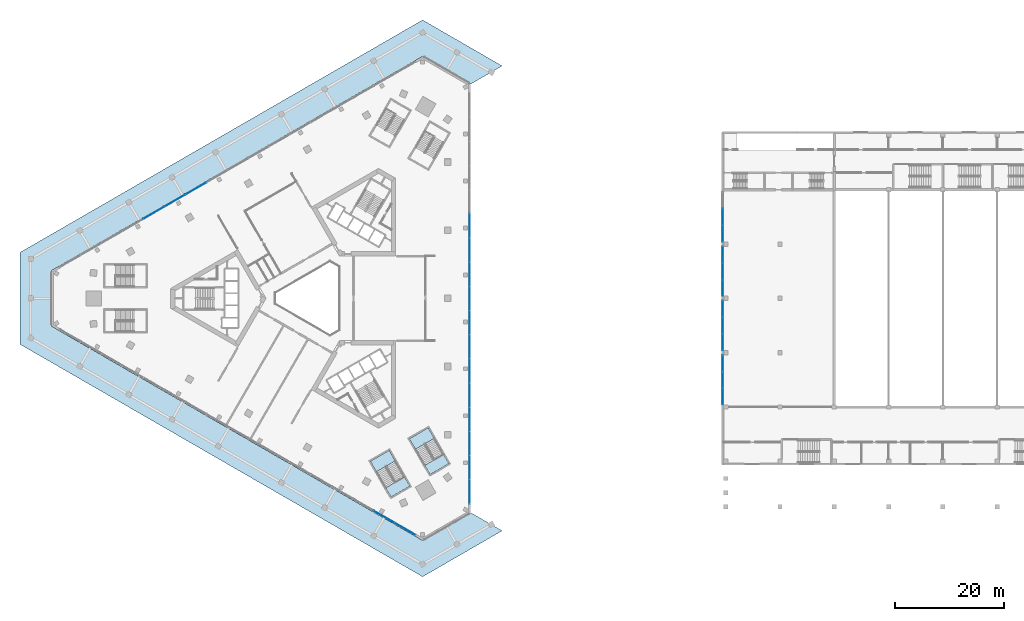
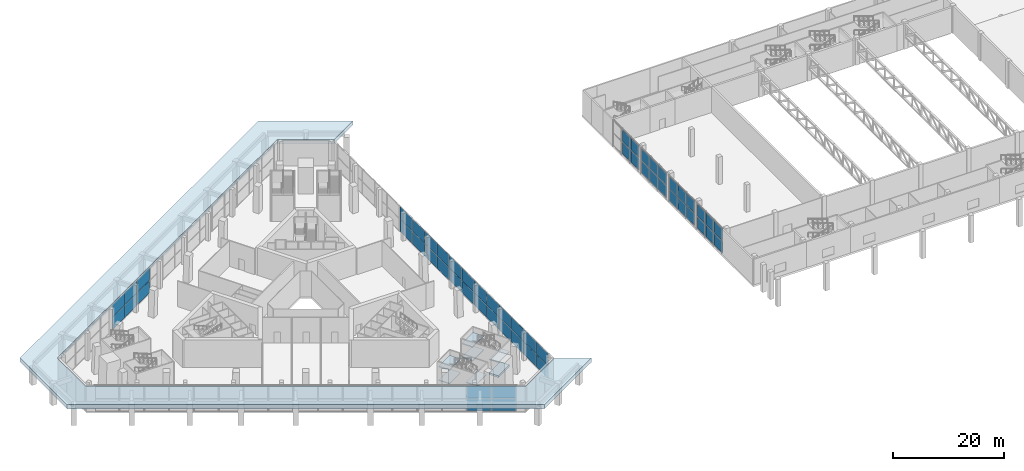
# One storey, part 23 of 51: 56 plates, 9 slabs, 9 elements without a shape of their own.
"""IFC4 building model written with IfcOpenShell, lengths in metres."""

from ifc_helpers import new_model, si_unit, direction, frame, origin, origin_2d, place, context, subcontext, project, spatial, polyline, rectangle, outline, extrude, material, layer, layer_set, type_object, element, aggregate, save


model = new_model("IFC4")

# Units and contexts
model_context = context("Model", 3, precision=1e-05, world=origin(), true_north=direction((0.0, 1.0)))
body_context = subcontext(model_context, "Body", "Model", "MODEL_VIEW")
ifc_project = project(units=[si_unit("LENGTHUNIT", "METRE"), si_unit("AREAUNIT", "SQUARE_METRE"), si_unit("VOLUMEUNIT", "CUBIC_METRE"), si_unit("PLANEANGLEUNIT", "RADIAN"), si_unit("MASSUNIT", "GRAM", prefix="KILO")], contexts=[model_context])

# Site, building, storey
site_placement = place(None, origin())
site = spatial("IfcSite", under=ifc_project, at=site_placement, CompositionType="ELEMENT")
building_placement = place(site_placement, origin())
building = spatial("IfcBuilding", under=site, at=building_placement, Name="Jabali Bay Hotel Tower and Convention Centre", CompositionType="ELEMENT")
storey_placement = place(building_placement, frame((0.0, 0.0, 9.0)))
storey = spatial("IfcBuildingStorey", under=building, at=storey_placement, Name="L01", CompositionType="ELEMENT", Elevation=9.0)

# Slab
ifc_material_1 = material(Name="Concrete C40", Category="concrete")
ifc_layer_1 = layer(ifc_material_1, 0.89990234375)
ifc_layer_set_1 = layer_set([ifc_layer_1], Name="Concrete C40")
slab_type_1 = type_object("IfcSlabType", Name="Arcade Canopy Slab 900", PredefinedType="ROOF", material=ifc_layer_set_1)
slab_1_placement = place(storey_placement, frame((0.0, 0.0, 4.699951171875)))
element("IfcSlab", 1, at=slab_1_placement, inside=storey, type_object=slab_type_1, Name="Arcade canopy slab", PredefinedType="ROOF", context=body_context, shape_type="SweptSolid", body=[
    extrude(outline(polyline([(109.5, 122.82763671875), (94.83984375, 131.291748046875), (20.66015625, 88.464111328125), (20.66015625, 71.535888671875), (94.83984375, 28.708251953125), (109.5, 37.17236328125), (103.699951171875, 40.52099609375), (94.83984375, 35.405517578125), (26.460205078125, 74.884521484375), (26.460205078125, 85.115478515625), (94.83984375, 124.594482421875), (103.699951171875, 119.47900390625), (109.5, 122.82763671875)])), origin(), (0.0, 0.0, 1.0), 0.900146484375),
])

# Curtain wall, plates
ifc_material_2 = material(Name="Aluminium 6063-T5 and glass", Category="aluminium")
curtain_wall_type_1 = type_object("IfcCurtainWallType", Name="CC CW4 Unitised Curtain Wall", PredefinedType="NOTDEFINED", material=ifc_material_2)
curtain_wall_1_placement = place(storey_placement, origin())
curtain_wall_1 = element("IfcCurtainWall", 2, at=curtain_wall_1_placement, inside=storey, type_object=curtain_wall_type_1, Name="CC CW4 run 1", PredefinedType="NOTDEFINED")
ifc_material_3 = material(Name="Glass IGU 28", Category="glass")
ifc_layer_2 = layer(ifc_material_3, 0.028076171875)
ifc_layer_set_2 = layer_set([ifc_layer_2], Name="Glass IGU 28")
plate_type_1 = type_object("IfcPlateType", Name="CC Curtain Wall Glass Panel 28", PredefinedType="CURTAIN_PANEL", material=ifc_layer_set_2)
plate_1_placement = place(storey_placement, frame((150.14990234375, 61.9482421875, 0.119873046875), z_axis=(0.0, 0.0, 1.0), x_axis=(0.0, 1.0, 0.0)))
plate_1 = element("IfcPlate", 3, at=plate_1_placement, type_object=plate_type_1, Name="CC-CW4 panel 1.1", PredefinedType="CURTAIN_PANEL", context=body_context, shape_type="SweptSolid", body=[
    extrude(rectangle(XDim=2.9765625, YDim=0.028076171875, at=origin_2d()), origin(), (0.0, 0.0, 1.0), 2.6201171875),
])
plate_2_placement = place(storey_placement, frame((150.14990234375, 61.9482421875, 2.85986328125), z_axis=(0.0, 0.0, 1.0), x_axis=(0.0, 1.0, 0.0)))
plate_2 = element("IfcPlate", 4, at=plate_2_placement, type_object=plate_type_1, Name="CC-CW4 panel 1.2", PredefinedType="CURTAIN_PANEL", context=body_context, shape_type="SweptSolid", body=[
    extrude(rectangle(XDim=2.9765625, YDim=0.028076171875, at=origin_2d()), origin(), (0.0, 0.0, 1.0), 2.610107421875),
])
plate_3_placement = place(storey_placement, frame((150.14990234375, 65.0, 0.119873046875), z_axis=(0.0, 0.0, 1.0), x_axis=(0.0, 1.0, 0.0)))
plate_3 = element("IfcPlate", 5, at=plate_3_placement, type_object=plate_type_1, Name="CC-CW4 panel 2.1", PredefinedType="CURTAIN_PANEL", context=body_context, shape_type="SweptSolid", body=[
    extrude(rectangle(XDim=3.006591796875, YDim=0.028076171875, at=origin_2d()), origin(), (0.0, 0.0, 1.0), 2.6201171875),
])
plate_4_placement = place(storey_placement, frame((150.14990234375, 65.0, 2.85986328125), z_axis=(0.0, 0.0, 1.0), x_axis=(0.0, 1.0, 0.0)))
plate_4 = element("IfcPlate", 6, at=plate_4_placement, type_object=plate_type_1, Name="CC-CW4 panel 2.2", PredefinedType="CURTAIN_PANEL", context=body_context, shape_type="SweptSolid", body=[
    extrude(rectangle(XDim=3.006591796875, YDim=0.028076171875, at=origin_2d()), origin(), (0.0, 0.0, 1.0), 2.610107421875),
])
plate_5_placement = place(storey_placement, frame((150.14990234375, 68.0517578125, 0.119873046875), z_axis=(0.0, 0.0, 1.0), x_axis=(0.0, 1.0, 0.0)))
plate_5 = element("IfcPlate", 7, at=plate_5_placement, type_object=plate_type_1, Name="CC-CW4 panel 3.1", PredefinedType="CURTAIN_PANEL", context=body_context, shape_type="SweptSolid", body=[
    extrude(rectangle(XDim=2.9765625, YDim=0.028076171875, at=origin_2d()), origin(), (0.0, 0.0, 1.0), 2.6201171875),
])
plate_6_placement = place(storey_placement, frame((150.14990234375, 68.0517578125, 2.85986328125), z_axis=(0.0, 0.0, 1.0), x_axis=(0.0, 1.0, 0.0)))
plate_6 = element("IfcPlate", 8, at=plate_6_placement, type_object=plate_type_1, Name="CC-CW4 panel 3.2", PredefinedType="CURTAIN_PANEL", context=body_context, shape_type="SweptSolid", body=[
    extrude(rectangle(XDim=2.9765625, YDim=0.028076171875, at=origin_2d()), origin(), (0.0, 0.0, 1.0), 2.610107421875),
])
aggregate(curtain_wall_1, [plate_1, plate_2, plate_3, plate_4, plate_5, plate_6])

curtain_wall_2_placement = place(storey_placement, origin())
curtain_wall_2 = element("IfcCurtainWall", 9, at=curtain_wall_2_placement, inside=storey, type_object=curtain_wall_type_1, Name="CC CW4 run 2", PredefinedType="NOTDEFINED")
plate_7_placement = place(storey_placement, frame((150.14990234375, 71.9482421875, 0.119873046875), z_axis=(0.0, 0.0, 1.0), x_axis=(0.0, 1.0, 0.0)))
plate_7 = element("IfcPlate", 10, at=plate_7_placement, type_object=plate_type_1, Name="CC-CW4 panel 1.1", PredefinedType="CURTAIN_PANEL", context=body_context, shape_type="SweptSolid", body=[
    extrude(rectangle(XDim=2.9765625, YDim=0.028076171875, at=origin_2d()), origin(), (0.0, 0.0, 1.0), 2.6201171875),
])
plate_8_placement = place(storey_placement, frame((150.14990234375, 71.9482421875, 2.85986328125), z_axis=(0.0, 0.0, 1.0), x_axis=(0.0, 1.0, 0.0)))
plate_8 = element("IfcPlate", 11, at=plate_8_placement, type_object=plate_type_1, Name="CC-CW4 panel 1.2", PredefinedType="CURTAIN_PANEL", context=body_context, shape_type="SweptSolid", body=[
    extrude(rectangle(XDim=2.9765625, YDim=0.028076171875, at=origin_2d()), origin(), (0.0, 0.0, 1.0), 2.610107421875),
])
plate_9_placement = place(storey_placement, frame((150.14990234375, 75.0, 0.119873046875), z_axis=(0.0, 0.0, 1.0), x_axis=(0.0, 1.0, 0.0)))
plate_9 = element("IfcPlate", 12, at=plate_9_placement, type_object=plate_type_1, Name="CC-CW4 panel 2.1", PredefinedType="CURTAIN_PANEL", context=body_context, shape_type="SweptSolid", body=[
    extrude(rectangle(XDim=3.006591796875, YDim=0.028076171875, at=origin_2d()), origin(), (0.0, 0.0, 1.0), 2.6201171875),
])
plate_10_placement = place(storey_placement, frame((150.14990234375, 75.0, 2.85986328125), z_axis=(0.0, 0.0, 1.0), x_axis=(0.0, 1.0, 0.0)))
plate_10 = element("IfcPlate", 13, at=plate_10_placement, type_object=plate_type_1, Name="CC-CW4 panel 2.2", PredefinedType="CURTAIN_PANEL", context=body_context, shape_type="SweptSolid", body=[
    extrude(rectangle(XDim=3.006591796875, YDim=0.028076171875, at=origin_2d()), origin(), (0.0, 0.0, 1.0), 2.610107421875),
])
plate_11_placement = place(storey_placement, frame((150.14990234375, 78.0517578125, 0.119873046875), z_axis=(0.0, 0.0, 1.0), x_axis=(0.0, 1.0, 0.0)))
plate_11 = element("IfcPlate", 14, at=plate_11_placement, type_object=plate_type_1, Name="CC-CW4 panel 3.1", PredefinedType="CURTAIN_PANEL", context=body_context, shape_type="SweptSolid", body=[
    extrude(rectangle(XDim=2.9765625, YDim=0.028076171875, at=origin_2d()), origin(), (0.0, 0.0, 1.0), 2.6201171875),
])
plate_12_placement = place(storey_placement, frame((150.14990234375, 78.0517578125, 2.85986328125), z_axis=(0.0, 0.0, 1.0), x_axis=(0.0, 1.0, 0.0)))
plate_12 = element("IfcPlate", 15, at=plate_12_placement, type_object=plate_type_1, Name="CC-CW4 panel 3.2", PredefinedType="CURTAIN_PANEL", context=body_context, shape_type="SweptSolid", body=[
    extrude(rectangle(XDim=2.9765625, YDim=0.028076171875, at=origin_2d()), origin(), (0.0, 0.0, 1.0), 2.610107421875),
])
aggregate(curtain_wall_2, [plate_7, plate_8, plate_9, plate_10, plate_11, plate_12])

curtain_wall_3_placement = place(storey_placement, origin())
curtain_wall_3 = element("IfcCurtainWall", 16, at=curtain_wall_3_placement, inside=storey, type_object=curtain_wall_type_1, Name="CC CW4 run 3", PredefinedType="NOTDEFINED")
plate_13_placement = place(storey_placement, frame((150.14990234375, 81.9482421875, 0.119873046875), z_axis=(0.0, 0.0, 1.0), x_axis=(0.0, 1.0, 0.0)))
plate_13 = element("IfcPlate", 17, at=plate_13_placement, type_object=plate_type_1, Name="CC-CW4 panel 1.1", PredefinedType="CURTAIN_PANEL", context=body_context, shape_type="SweptSolid", body=[
    extrude(rectangle(XDim=2.9765625, YDim=0.028076171875, at=origin_2d()), origin(), (0.0, 0.0, 1.0), 2.6201171875),
])
plate_14_placement = place(storey_placement, frame((150.14990234375, 81.9482421875, 2.85986328125), z_axis=(0.0, 0.0, 1.0), x_axis=(0.0, 1.0, 0.0)))
plate_14 = element("IfcPlate", 18, at=plate_14_placement, type_object=plate_type_1, Name="CC-CW4 panel 1.2", PredefinedType="CURTAIN_PANEL", context=body_context, shape_type="SweptSolid", body=[
    extrude(rectangle(XDim=2.9765625, YDim=0.028076171875, at=origin_2d()), origin(), (0.0, 0.0, 1.0), 2.610107421875),
])
plate_15_placement = place(storey_placement, frame((150.14990234375, 85.0, 0.119873046875), z_axis=(0.0, 0.0, 1.0), x_axis=(0.0, 1.0, 0.0)))
plate_15 = element("IfcPlate", 19, at=plate_15_placement, type_object=plate_type_1, Name="CC-CW4 panel 2.1", PredefinedType="CURTAIN_PANEL", context=body_context, shape_type="SweptSolid", body=[
    extrude(rectangle(XDim=3.006591796875, YDim=0.028076171875, at=origin_2d()), origin(), (0.0, 0.0, 1.0), 2.6201171875),
])
plate_16_placement = place(storey_placement, frame((150.14990234375, 85.0, 2.85986328125), z_axis=(0.0, 0.0, 1.0), x_axis=(0.0, 1.0, 0.0)))
plate_16 = element("IfcPlate", 20, at=plate_16_placement, type_object=plate_type_1, Name="CC-CW4 panel 2.2", PredefinedType="CURTAIN_PANEL", context=body_context, shape_type="SweptSolid", body=[
    extrude(rectangle(XDim=3.006591796875, YDim=0.028076171875, at=origin_2d()), origin(), (0.0, 0.0, 1.0), 2.610107421875),
])
plate_17_placement = place(storey_placement, frame((150.14990234375, 88.0517578125, 0.119873046875), z_axis=(0.0, 0.0, 1.0), x_axis=(0.0, 1.0, 0.0)))
plate_17 = element("IfcPlate", 21, at=plate_17_placement, type_object=plate_type_1, Name="CC-CW4 panel 3.1", PredefinedType="CURTAIN_PANEL", context=body_context, shape_type="SweptSolid", body=[
    extrude(rectangle(XDim=2.9765625, YDim=0.028076171875, at=origin_2d()), origin(), (0.0, 0.0, 1.0), 2.6201171875),
])
plate_18_placement = place(storey_placement, frame((150.14990234375, 88.0517578125, 2.85986328125), z_axis=(0.0, 0.0, 1.0), x_axis=(0.0, 1.0, 0.0)))
plate_18 = element("IfcPlate", 22, at=plate_18_placement, type_object=plate_type_1, Name="CC-CW4 panel 3.2", PredefinedType="CURTAIN_PANEL", context=body_context, shape_type="SweptSolid", body=[
    extrude(rectangle(XDim=2.9765625, YDim=0.028076171875, at=origin_2d()), origin(), (0.0, 0.0, 1.0), 2.610107421875),
])
aggregate(curtain_wall_3, [plate_13, plate_14, plate_15, plate_16, plate_17, plate_18])

curtain_wall_4_placement = place(storey_placement, origin())
curtain_wall_4 = element("IfcCurtainWall", 23, at=curtain_wall_4_placement, inside=storey, type_object=curtain_wall_type_1, Name="CC CW4 run 4", PredefinedType="NOTDEFINED")
plate_19_placement = place(storey_placement, frame((150.14990234375, 91.9482421875, 0.119873046875), z_axis=(0.0, 0.0, 1.0), x_axis=(0.0, 1.0, 0.0)))
plate_19 = element("IfcPlate", 24, at=plate_19_placement, type_object=plate_type_1, Name="CC-CW4 panel 1.1", PredefinedType="CURTAIN_PANEL", context=body_context, shape_type="SweptSolid", body=[
    extrude(rectangle(XDim=2.9765625, YDim=0.028076171875, at=origin_2d()), origin(), (0.0, 0.0, 1.0), 2.6201171875),
])
plate_20_placement = place(storey_placement, frame((150.14990234375, 91.9482421875, 2.85986328125), z_axis=(0.0, 0.0, 1.0), x_axis=(0.0, 1.0, 0.0)))
plate_20 = element("IfcPlate", 25, at=plate_20_placement, type_object=plate_type_1, Name="CC-CW4 panel 1.2", PredefinedType="CURTAIN_PANEL", context=body_context, shape_type="SweptSolid", body=[
    extrude(rectangle(XDim=2.9765625, YDim=0.028076171875, at=origin_2d()), origin(), (0.0, 0.0, 1.0), 2.610107421875),
])
plate_21_placement = place(storey_placement, frame((150.14990234375, 95.0, 0.119873046875), z_axis=(0.0, 0.0, 1.0), x_axis=(0.0, 1.0, 0.0)))
plate_21 = element("IfcPlate", 26, at=plate_21_placement, type_object=plate_type_1, Name="CC-CW4 panel 2.1", PredefinedType="CURTAIN_PANEL", context=body_context, shape_type="SweptSolid", body=[
    extrude(rectangle(XDim=3.006591796875, YDim=0.028076171875, at=origin_2d()), origin(), (0.0, 0.0, 1.0), 2.6201171875),
])
plate_22_placement = place(storey_placement, frame((150.14990234375, 95.0, 2.85986328125), z_axis=(0.0, 0.0, 1.0), x_axis=(0.0, 1.0, 0.0)))
plate_22 = element("IfcPlate", 27, at=plate_22_placement, type_object=plate_type_1, Name="CC-CW4 panel 2.2", PredefinedType="CURTAIN_PANEL", context=body_context, shape_type="SweptSolid", body=[
    extrude(rectangle(XDim=3.006591796875, YDim=0.028076171875, at=origin_2d()), origin(), (0.0, 0.0, 1.0), 2.610107421875),
])
aggregate(curtain_wall_4, [plate_19, plate_20, plate_21, plate_22])

ifc_material_4 = material(Name="Aluminium and glass", Category="aluminium")
ifc_layer_3 = layer(ifc_material_4, 0.179931640625)
ifc_layer_set_3 = layer_set([ifc_layer_3], Name="Aluminium and glass")
curtain_wall_type_2 = type_object("IfcCurtainWallType", Name="CW1 curtain wall", PredefinedType="NOTDEFINED", material=ifc_layer_set_3)
curtain_wall_5_placement = place(storey_placement, origin())
curtain_wall_5 = element("IfcCurtainWall", 28, at=curtain_wall_5_placement, inside=storey, type_object=curtain_wall_type_2, Name="CW1 curtain wall east face L01", PredefinedType="NOTDEFINED")
ifc_material_5 = material(Name="Glass", Category="glass")
ifc_layer_4 = layer(ifc_material_5, 0.028076171875)
ifc_layer_set_4 = layer_set([ifc_layer_4], Name="Glass")
plate_type_2 = type_object("IfcPlateType", Name="CW1 glass panel 28", PredefinedType="CURTAIN_PANEL", material=ifc_layer_set_4)
plate_23_placement = place(storey_placement, frame((103.5, 93.363525390625, 0.06005859375), z_axis=(0.0, 0.0, 1.0), x_axis=(0.0, -1.0, 0.0)))
plate_23 = element("IfcPlate", 29, at=plate_23_placement, type_object=plate_type_2, Name="CW1 panel 6.1", PredefinedType="CURTAIN_PANEL", context=body_context, shape_type="SweptSolid", body=[
    extrude(rectangle(XDim=4.39453125, YDim=0.028076171875, at=origin_2d()), origin(), (0.0, 0.0, 1.0), 2.7099609375),
])
plate_24_placement = place(storey_placement, frame((103.5, 93.363525390625, 2.830078125), z_axis=(0.0, 0.0, 1.0), x_axis=(0.0, -1.0, 0.0)))
plate_24 = element("IfcPlate", 30, at=plate_24_placement, type_object=plate_type_2, Name="CW1 panel 6.2", PredefinedType="CURTAIN_PANEL", context=body_context, shape_type="SweptSolid", body=[
    extrude(rectangle(XDim=4.39453125, YDim=0.028076171875, at=origin_2d()), origin(), (0.0, 0.0, 1.0), 2.7099609375),
])
plate_25_placement = place(storey_placement, frame((103.5, 88.908935546875, 0.06005859375), z_axis=(0.0, 0.0, 1.0), x_axis=(0.0, -1.0, 0.0)))
plate_25 = element("IfcPlate", 31, at=plate_25_placement, type_object=plate_type_2, Name="CW1 panel 7.1", PredefinedType="CURTAIN_PANEL", context=body_context, shape_type="SweptSolid", body=[
    extrude(rectangle(XDim=4.39453125, YDim=0.028076171875, at=origin_2d()), origin(), (0.0, 0.0, 1.0), 2.7099609375),
])
plate_26_placement = place(storey_placement, frame((103.5, 88.908935546875, 2.830078125), z_axis=(0.0, 0.0, 1.0), x_axis=(0.0, -1.0, 0.0)))
plate_26 = element("IfcPlate", 32, at=plate_26_placement, type_object=plate_type_2, Name="CW1 panel 7.2", PredefinedType="CURTAIN_PANEL", context=body_context, shape_type="SweptSolid", body=[
    extrude(rectangle(XDim=4.39453125, YDim=0.028076171875, at=origin_2d()), origin(), (0.0, 0.0, 1.0), 2.7099609375),
])
plate_27_placement = place(storey_placement, frame((103.5, 84.45458984375, 0.06005859375), z_axis=(0.0, 0.0, 1.0), x_axis=(0.0, -1.0, 0.0)))
plate_27 = element("IfcPlate", 33, at=plate_27_placement, type_object=plate_type_2, Name="CW1 panel 8.1", PredefinedType="CURTAIN_PANEL", context=body_context, shape_type="SweptSolid", body=[
    extrude(rectangle(XDim=4.39453125, YDim=0.028076171875, at=origin_2d()), origin(), (0.0, 0.0, 1.0), 2.7099609375),
])
plate_28_placement = place(storey_placement, frame((103.5, 84.45458984375, 2.830078125), z_axis=(0.0, 0.0, 1.0), x_axis=(0.0, -1.0, 0.0)))
plate_28 = element("IfcPlate", 34, at=plate_28_placement, type_object=plate_type_2, Name="CW1 panel 8.2", PredefinedType="CURTAIN_PANEL", context=body_context, shape_type="SweptSolid", body=[
    extrude(rectangle(XDim=4.39453125, YDim=0.028076171875, at=origin_2d()), origin(), (0.0, 0.0, 1.0), 2.7099609375),
])
plate_29_placement = place(storey_placement, frame((103.5, 80.0, 0.06005859375), z_axis=(0.0, 0.0, 1.0), x_axis=(0.0, -1.0, 0.0)))
plate_29 = element("IfcPlate", 35, at=plate_29_placement, type_object=plate_type_2, Name="CW1 panel 9.1", PredefinedType="CURTAIN_PANEL", context=body_context, shape_type="SweptSolid", body=[
    extrude(rectangle(XDim=4.39453125, YDim=0.028076171875, at=origin_2d()), origin(), (0.0, 0.0, 1.0), 2.7099609375),
])
plate_30_placement = place(storey_placement, frame((103.5, 80.0, 2.830078125), z_axis=(0.0, 0.0, 1.0), x_axis=(0.0, -1.0, 0.0)))
plate_30 = element("IfcPlate", 36, at=plate_30_placement, type_object=plate_type_2, Name="CW1 panel 9.2", PredefinedType="CURTAIN_PANEL", context=body_context, shape_type="SweptSolid", body=[
    extrude(rectangle(XDim=4.39453125, YDim=0.028076171875, at=origin_2d()), origin(), (0.0, 0.0, 1.0), 2.7099609375),
])
plate_31_placement = place(storey_placement, frame((103.5, 75.54541015625, 0.06005859375), z_axis=(0.0, 0.0, 1.0), x_axis=(0.0, -1.0, 0.0)))
plate_31 = element("IfcPlate", 37, at=plate_31_placement, type_object=plate_type_2, Name="CW1 panel 10.1", PredefinedType="CURTAIN_PANEL", context=body_context, shape_type="SweptSolid", body=[
    extrude(rectangle(XDim=4.39453125, YDim=0.028076171875, at=origin_2d()), origin(), (0.0, 0.0, 1.0), 2.7099609375),
])
plate_32_placement = place(storey_placement, frame((103.5, 75.54541015625, 2.830078125), z_axis=(0.0, 0.0, 1.0), x_axis=(0.0, -1.0, 0.0)))
plate_32 = element("IfcPlate", 38, at=plate_32_placement, type_object=plate_type_2, Name="CW1 panel 10.2", PredefinedType="CURTAIN_PANEL", context=body_context, shape_type="SweptSolid", body=[
    extrude(rectangle(XDim=4.39453125, YDim=0.028076171875, at=origin_2d()), origin(), (0.0, 0.0, 1.0), 2.7099609375),
])
plate_33_placement = place(storey_placement, frame((103.5, 71.091064453125, 0.06005859375), z_axis=(0.0, 0.0, 1.0), x_axis=(0.0, -1.0, 0.0)))
plate_33 = element("IfcPlate", 39, at=plate_33_placement, type_object=plate_type_2, Name="CW1 panel 11.1", PredefinedType="CURTAIN_PANEL", context=body_context, shape_type="SweptSolid", body=[
    extrude(rectangle(XDim=4.39453125, YDim=0.028076171875, at=origin_2d()), origin(), (0.0, 0.0, 1.0), 2.7099609375),
])
plate_34_placement = place(storey_placement, frame((103.5, 71.091064453125, 2.830078125), z_axis=(0.0, 0.0, 1.0), x_axis=(0.0, -1.0, 0.0)))
plate_34 = element("IfcPlate", 40, at=plate_34_placement, type_object=plate_type_2, Name="CW1 panel 11.2", PredefinedType="CURTAIN_PANEL", context=body_context, shape_type="SweptSolid", body=[
    extrude(rectangle(XDim=4.39453125, YDim=0.028076171875, at=origin_2d()), origin(), (0.0, 0.0, 1.0), 2.7099609375),
])
plate_35_placement = place(storey_placement, frame((103.5, 66.636474609375, 0.06005859375), z_axis=(0.0, 0.0, 1.0), x_axis=(0.0, -1.0, 0.0)))
plate_35 = element("IfcPlate", 41, at=plate_35_placement, type_object=plate_type_2, Name="CW1 panel 12.1", PredefinedType="CURTAIN_PANEL", context=body_context, shape_type="SweptSolid", body=[
    extrude(rectangle(XDim=4.39453125, YDim=0.028076171875, at=origin_2d()), origin(), (0.0, 0.0, 1.0), 2.7099609375),
])
plate_36_placement = place(storey_placement, frame((103.5, 66.636474609375, 2.830078125), z_axis=(0.0, 0.0, 1.0), x_axis=(0.0, -1.0, 0.0)))
plate_36 = element("IfcPlate", 42, at=plate_36_placement, type_object=plate_type_2, Name="CW1 panel 12.2", PredefinedType="CURTAIN_PANEL", context=body_context, shape_type="SweptSolid", body=[
    extrude(rectangle(XDim=4.39453125, YDim=0.028076171875, at=origin_2d()), origin(), (0.0, 0.0, 1.0), 2.7099609375),
])
plate_37_placement = place(storey_placement, frame((103.5, 62.181884765625, 0.06005859375), z_axis=(0.0, 0.0, 1.0), x_axis=(0.0, -1.0, 0.0)))
plate_37 = element("IfcPlate", 43, at=plate_37_placement, type_object=plate_type_2, Name="CW1 panel 13.1", PredefinedType="CURTAIN_PANEL", context=body_context, shape_type="SweptSolid", body=[
    extrude(rectangle(XDim=4.39453125, YDim=0.028076171875, at=origin_2d()), origin(), (0.0, 0.0, 1.0), 2.7099609375),
])
plate_38_placement = place(storey_placement, frame((103.5, 62.181884765625, 2.830078125), z_axis=(0.0, 0.0, 1.0), x_axis=(0.0, -1.0, 0.0)))
plate_38 = element("IfcPlate", 44, at=plate_38_placement, type_object=plate_type_2, Name="CW1 panel 13.2", PredefinedType="CURTAIN_PANEL", context=body_context, shape_type="SweptSolid", body=[
    extrude(rectangle(XDim=4.39453125, YDim=0.028076171875, at=origin_2d()), origin(), (0.0, 0.0, 1.0), 2.7099609375),
])
plate_39_placement = place(storey_placement, frame((103.5, 57.727294921875, 0.06005859375), z_axis=(0.0, 0.0, 1.0), x_axis=(0.0, -1.0, 0.0)))
plate_39 = element("IfcPlate", 45, at=plate_39_placement, type_object=plate_type_2, Name="CW1 panel 14.1", PredefinedType="CURTAIN_PANEL", context=body_context, shape_type="SweptSolid", body=[
    extrude(rectangle(XDim=4.39453125, YDim=0.028076171875, at=origin_2d()), origin(), (0.0, 0.0, 1.0), 2.7099609375),
])
plate_40_placement = place(storey_placement, frame((103.5, 57.727294921875, 2.830078125), z_axis=(0.0, 0.0, 1.0), x_axis=(0.0, -1.0, 0.0)))
plate_40 = element("IfcPlate", 46, at=plate_40_placement, type_object=plate_type_2, Name="CW1 panel 14.2", PredefinedType="CURTAIN_PANEL", context=body_context, shape_type="SweptSolid", body=[
    extrude(rectangle(XDim=4.39453125, YDim=0.028076171875, at=origin_2d()), origin(), (0.0, 0.0, 1.0), 2.7099609375),
])
plate_41_placement = place(storey_placement, frame((103.5, 53.27294921875, 0.06005859375), z_axis=(0.0, 0.0, 1.0), x_axis=(0.0, -1.0, 0.0)))
plate_41 = element("IfcPlate", 47, at=plate_41_placement, type_object=plate_type_2, Name="CW1 panel 15.1", PredefinedType="CURTAIN_PANEL", context=body_context, shape_type="SweptSolid", body=[
    extrude(rectangle(XDim=4.39453125, YDim=0.028076171875, at=origin_2d()), origin(), (0.0, 0.0, 1.0), 2.7099609375),
])
plate_42_placement = place(storey_placement, frame((103.5, 53.27294921875, 2.830078125), z_axis=(0.0, 0.0, 1.0), x_axis=(0.0, -1.0, 0.0)))
plate_42 = element("IfcPlate", 48, at=plate_42_placement, type_object=plate_type_2, Name="CW1 panel 15.2", PredefinedType="CURTAIN_PANEL", context=body_context, shape_type="SweptSolid", body=[
    extrude(rectangle(XDim=4.39453125, YDim=0.028076171875, at=origin_2d()), origin(), (0.0, 0.0, 1.0), 2.7099609375),
])
plate_43_placement = place(storey_placement, frame((103.5, 48.818359375, 0.06005859375), z_axis=(0.0, 0.0, 1.0), x_axis=(0.0, -1.0, 0.0)))
plate_43 = element("IfcPlate", 49, at=plate_43_placement, type_object=plate_type_2, Name="CW1 panel 16.1", PredefinedType="CURTAIN_PANEL", context=body_context, shape_type="SweptSolid", body=[
    extrude(rectangle(XDim=4.39453125, YDim=0.028076171875, at=origin_2d()), origin(), (0.0, 0.0, 1.0), 2.7099609375),
])
plate_44_placement = place(storey_placement, frame((103.5, 48.818359375, 2.830078125), z_axis=(0.0, 0.0, 1.0), x_axis=(0.0, -1.0, 0.0)))
plate_44 = element("IfcPlate", 50, at=plate_44_placement, type_object=plate_type_2, Name="CW1 panel 16.2", PredefinedType="CURTAIN_PANEL", context=body_context, shape_type="SweptSolid", body=[
    extrude(rectangle(XDim=4.39453125, YDim=0.028076171875, at=origin_2d()), origin(), (0.0, 0.0, 1.0), 2.7099609375),
])
plate_45_placement = place(storey_placement, frame((103.5, 44.37890625, 0.06005859375), z_axis=(0.0, 0.0, 1.0), x_axis=(0.0, -1.0, 0.0)))
plate_45 = element("IfcPlate", 51, at=plate_45_placement, type_object=plate_type_2, Name="CW1 panel 17.1", PredefinedType="CURTAIN_PANEL", context=body_context, shape_type="SweptSolid", body=[
    extrude(rectangle(XDim=4.364501953125, YDim=0.028076171875, at=origin_2d()), origin(), (0.0, 0.0, 1.0), 2.7099609375),
])
plate_46_placement = place(storey_placement, frame((103.5, 44.37890625, 2.830078125), z_axis=(0.0, 0.0, 1.0), x_axis=(0.0, -1.0, 0.0)))
plate_46 = element("IfcPlate", 52, at=plate_46_placement, type_object=plate_type_2, Name="CW1 panel 17.2", PredefinedType="CURTAIN_PANEL", context=body_context, shape_type="SweptSolid", body=[
    extrude(rectangle(XDim=4.364501953125, YDim=0.028076171875, at=origin_2d()), origin(), (0.0, 0.0, 1.0), 2.7099609375),
])
aggregate(curtain_wall_5, [plate_23, plate_24, plate_25, plate_26, plate_27, plate_28, plate_29, plate_30, plate_31, plate_32, plate_33, plate_34, plate_35, plate_36, plate_37, plate_38, plate_39, plate_40, plate_41, plate_42, plate_43, plate_44, plate_45, plate_46])

curtain_wall_6_placement = place(storey_placement, origin())
curtain_wall_6 = element("IfcCurtainWall", 53, at=curtain_wall_6_placement, inside=storey, type_object=curtain_wall_type_2, Name="CW1 curtain wall north-west face L01", PredefinedType="NOTDEFINED")
plate_47_placement = place(storey_placement, frame((45.319091796875, 95.772705078125, 0.06005859375), z_axis=(0.0, 0.0, 1.0), x_axis=(0.866025404107, 0.499999999441, 0.0)))
plate_47 = element("IfcPlate", 54, at=plate_47_placement, type_object=plate_type_2, Name="CW1 panel 5.1", PredefinedType="CURTAIN_PANEL", context=body_context, shape_type="SweptSolid", body=[
    extrude(rectangle(XDim=4.39453125, YDim=0.028076171875, at=origin_2d()), origin(), (0.0, 0.0, 1.0), 2.7099609375),
])
plate_48_placement = place(storey_placement, frame((45.319091796875, 95.772705078125, 2.830078125), z_axis=(0.0, 0.0, 1.0), x_axis=(0.866025404107, 0.499999999441, 0.0)))
plate_48 = element("IfcPlate", 55, at=plate_48_placement, type_object=plate_type_2, Name="CW1 panel 5.2", PredefinedType="CURTAIN_PANEL", context=body_context, shape_type="SweptSolid", body=[
    extrude(rectangle(XDim=4.39453125, YDim=0.028076171875, at=origin_2d()), origin(), (0.0, 0.0, 1.0), 2.7099609375),
])
plate_49_placement = place(storey_placement, frame((49.1767578125, 98.0, 0.06005859375), z_axis=(0.0, 0.0, 1.0), x_axis=(0.866025404107, 0.499999999441, 0.0)))
plate_49 = element("IfcPlate", 56, at=plate_49_placement, type_object=plate_type_2, Name="CW1 panel 6.1", PredefinedType="CURTAIN_PANEL", context=body_context, shape_type="SweptSolid", body=[
    extrude(rectangle(XDim=4.39453125, YDim=0.028076171875, at=origin_2d()), origin(), (0.0, 0.0, 1.0), 2.7099609375),
])
plate_50_placement = place(storey_placement, frame((49.1767578125, 98.0, 2.830078125), z_axis=(0.0, 0.0, 1.0), x_axis=(0.866025404107, 0.499999999441, 0.0)))
plate_50 = element("IfcPlate", 57, at=plate_50_placement, type_object=plate_type_2, Name="CW1 panel 6.2", PredefinedType="CURTAIN_PANEL", context=body_context, shape_type="SweptSolid", body=[
    extrude(rectangle(XDim=4.39453125, YDim=0.028076171875, at=origin_2d()), origin(), (0.0, 0.0, 1.0), 2.7099609375),
])
plate_51_placement = place(storey_placement, frame((53.034423828125, 100.227294921875, 0.06005859375), z_axis=(0.0, 0.0, 1.0), x_axis=(0.866025404107, 0.499999999441, 0.0)))
plate_51 = element("IfcPlate", 58, at=plate_51_placement, type_object=plate_type_2, Name="CW1 panel 7.1", PredefinedType="CURTAIN_PANEL", context=body_context, shape_type="SweptSolid", body=[
    extrude(rectangle(XDim=4.39453125, YDim=0.028076171875, at=origin_2d()), origin(), (0.0, 0.0, 1.0), 2.7099609375),
])
plate_52_placement = place(storey_placement, frame((53.034423828125, 100.227294921875, 2.830078125), z_axis=(0.0, 0.0, 1.0), x_axis=(0.866025404107, 0.499999999441, 0.0)))
plate_52 = element("IfcPlate", 59, at=plate_52_placement, type_object=plate_type_2, Name="CW1 panel 7.2", PredefinedType="CURTAIN_PANEL", context=body_context, shape_type="SweptSolid", body=[
    extrude(rectangle(XDim=4.39453125, YDim=0.028076171875, at=origin_2d()), origin(), (0.0, 0.0, 1.0), 2.7099609375),
])
aggregate(curtain_wall_6, [plate_47, plate_48, plate_49, plate_50, plate_51, plate_52])

curtain_wall_7_placement = place(storey_placement, origin())
curtain_wall_7 = element("IfcCurtainWall", 60, at=curtain_wall_7_placement, inside=storey, type_object=curtain_wall_type_2, Name="CW1 curtain wall south-west face L01", PredefinedType="NOTDEFINED")
plate_53_placement = place(storey_placement, frame((91.598876953125, 37.507568359375, 0.06005859375), z_axis=(0.0, 0.0, 1.0), x_axis=(-0.866025404107, 0.499999999441, 0.0)))
plate_53 = element("IfcPlate", 61, at=plate_53_placement, type_object=plate_type_2, Name="CW1 panel 1.1", PredefinedType="CURTAIN_PANEL", context=body_context, shape_type="SweptSolid", body=[
    extrude(rectangle(XDim=4.364501953125, YDim=0.028076171875, at=origin_2d()), origin(), (0.0, 0.0, 1.0), 2.7099609375),
])
plate_54_placement = place(storey_placement, frame((91.598876953125, 37.507568359375, 2.830078125), z_axis=(0.0, 0.0, 1.0), x_axis=(-0.866025404107, 0.499999999441, 0.0)))
plate_54 = element("IfcPlate", 62, at=plate_54_placement, type_object=plate_type_2, Name="CW1 panel 1.2", PredefinedType="CURTAIN_PANEL", context=body_context, shape_type="SweptSolid", body=[
    extrude(rectangle(XDim=4.364501953125, YDim=0.028076171875, at=origin_2d()), origin(), (0.0, 0.0, 1.0), 2.7099609375),
])
plate_55_placement = place(storey_placement, frame((87.754150390625, 39.7275390625, 0.06005859375), z_axis=(0.0, 0.0, 1.0), x_axis=(-0.866025404107, 0.499999999441, 0.0)))
plate_55 = element("IfcPlate", 63, at=plate_55_placement, type_object=plate_type_2, Name="CW1 panel 2.1", PredefinedType="CURTAIN_PANEL", context=body_context, shape_type="SweptSolid", body=[
    extrude(rectangle(XDim=4.39453125, YDim=0.028076171875, at=origin_2d()), origin(), (0.0, 0.0, 1.0), 2.7099609375),
])
plate_56_placement = place(storey_placement, frame((87.754150390625, 39.7275390625, 2.830078125), z_axis=(0.0, 0.0, 1.0), x_axis=(-0.866025404107, 0.499999999441, 0.0)))
plate_56 = element("IfcPlate", 64, at=plate_56_placement, type_object=plate_type_2, Name="CW1 panel 2.2", PredefinedType="CURTAIN_PANEL", context=body_context, shape_type="SweptSolid", body=[
    extrude(rectangle(XDim=4.39453125, YDim=0.028076171875, at=origin_2d()), origin(), (0.0, 0.0, 1.0), 2.7099609375),
])
aggregate(curtain_wall_7, [plate_53, plate_54, plate_55, plate_56])

# Slabs
ifc_layer_5 = layer(ifc_material_1, 0.39990234375)
ifc_layer_set_5 = layer_set([ifc_layer_5], Name="Concrete C40")
slab_type_2 = type_object("IfcSlabType", Name="Core floor slab 400", PredefinedType="FLOOR", material=ifc_layer_set_5)
slab_2_placement = place(storey_placement, frame((0.0, 0.0, -0.39990234375)))
element("IfcSlab", 65, at=slab_2_placement, inside=storey, type_object=slab_type_2, Name="Podium stair landing slab 5 L01", PredefinedType="FLOOR", context=body_context, shape_type="SweptSolid", body=[
    extrude(outline(polyline([(99.676025390625, 49.559814453125), (98.699462890625, 51.251220703125), (95.2353515625, 49.251220703125), (96.2119140625, 47.559814453125), (99.676025390625, 49.559814453125)])), origin(), (0.0, 0.0, 1.0), 0.39990234375),
])
slab_3_placement = place(storey_placement, frame((0.0, 0.0, -0.39990234375)))
element("IfcSlab", 66, at=slab_3_placement, inside=storey, type_object=slab_type_2, Name="Podium stair landing slab 6 L01", PredefinedType="FLOOR", context=body_context, shape_type="SweptSolid", body=[
    extrude(outline(polyline([(92.488037109375, 45.409912109375), (91.511474609375, 47.10107421875), (88.04736328125, 45.10107421875), (89.02392578125, 43.409912109375), (92.488037109375, 45.409912109375)])), origin(), (0.0, 0.0, 1.0), 0.39990234375),
])

# Stair, slabs
stair_type = type_object("IfcStairType", Name="Podium stair 1950", PredefinedType="HALF_TURN_STAIR", material=ifc_material_1)
stair_1_placement = place(storey_placement, origin())
stair_1 = element("IfcStair", 67, at=stair_1_placement, inside=storey, type_object=stair_type, Name="L01 Podium Exit Stair 5", PredefinedType="HALF_TURN_STAIR")
ifc_layer_6 = layer(ifc_material_1, 0.199951171875)
ifc_layer_set_6 = layer_set([ifc_layer_6], Name="Concrete C40")
slab_type_3 = type_object("IfcSlabType", Name="Stair landing 200", PredefinedType="LANDING", material=ifc_layer_set_6)
slab_4_placement = place(storey_placement, frame((0.0, 0.0, 1.300048828125)))
slab_4 = element("IfcSlab", 68, at=slab_4_placement, type_object=slab_type_3, Name="PS5 landing 1", PredefinedType="LANDING", context=body_context, shape_type="SweptSolid", body=[
    extrude(outline(polyline([(96.99755859375, 54.19921875), (95.8759765625, 56.1416015625), (92.411865234375, 54.1416015625), (93.533447265625, 52.19921875), (96.99755859375, 54.19921875)])), origin(), (0.0, 0.0, 1.0), 0.199951171875),
])
slab_5_placement = place(storey_placement, frame((0.0, 0.0, 2.800048828125)))
slab_5 = element("IfcSlab", 69, at=slab_5_placement, type_object=slab_type_3, Name="PS5 landing 2", PredefinedType="LANDING", context=body_context, shape_type="SweptSolid", body=[
    extrude(outline(polyline([(99.676025390625, 49.559814453125), (98.699462890625, 51.251220703125), (95.2353515625, 49.251220703125), (96.2119140625, 47.559814453125), (99.676025390625, 49.559814453125)])), origin(), (0.0, 0.0, 1.0), 0.199951171875),
])
slab_6_placement = place(storey_placement, frame((0.0, 0.0, 4.300048828125)))
slab_6 = element("IfcSlab", 70, at=slab_6_placement, type_object=slab_type_3, Name="PS5 landing 3", PredefinedType="LANDING", context=body_context, shape_type="SweptSolid", body=[
    extrude(outline(polyline([(96.99755859375, 54.19921875), (95.8759765625, 56.1416015625), (92.411865234375, 54.1416015625), (93.533447265625, 52.19921875), (96.99755859375, 54.19921875)])), origin(), (0.0, 0.0, 1.0), 0.199951171875),
])
aggregate(stair_1, [slab_4, slab_5, slab_6])

stair_2_placement = place(storey_placement, origin())
stair_2 = element("IfcStair", 71, at=stair_2_placement, inside=storey, type_object=stair_type, Name="L01 Podium Exit Stair 6", PredefinedType="HALF_TURN_STAIR")
slab_7_placement = place(storey_placement, frame((0.0, 0.0, 1.300048828125)))
slab_7 = element("IfcSlab", 72, at=slab_7_placement, type_object=slab_type_3, Name="PS6 landing 1", PredefinedType="LANDING", context=body_context, shape_type="SweptSolid", body=[
    extrude(outline(polyline([(89.8095703125, 50.049072265625), (88.68798828125, 51.99169921875), (85.223876953125, 49.99169921875), (86.345458984375, 48.049072265625), (89.8095703125, 50.049072265625)])), origin(), (0.0, 0.0, 1.0), 0.199951171875),
])
slab_8_placement = place(storey_placement, frame((0.0, 0.0, 2.800048828125)))
slab_8 = element("IfcSlab", 73, at=slab_8_placement, type_object=slab_type_3, Name="PS6 landing 2", PredefinedType="LANDING", context=body_context, shape_type="SweptSolid", body=[
    extrude(outline(polyline([(92.488037109375, 45.409912109375), (91.511474609375, 47.10107421875), (88.04736328125, 45.10107421875), (89.02392578125, 43.409912109375), (92.488037109375, 45.409912109375)])), origin(), (0.0, 0.0, 1.0), 0.199951171875),
])
slab_9_placement = place(storey_placement, frame((0.0, 0.0, 4.300048828125)))
slab_9 = element("IfcSlab", 74, at=slab_9_placement, type_object=slab_type_3, Name="PS6 landing 3", PredefinedType="LANDING", context=body_context, shape_type="SweptSolid", body=[
    extrude(outline(polyline([(89.8095703125, 50.049072265625), (88.68798828125, 51.99169921875), (85.223876953125, 49.99169921875), (86.345458984375, 48.049072265625), (89.8095703125, 50.049072265625)])), origin(), (0.0, 0.0, 1.0), 0.199951171875),
])
aggregate(stair_2, [slab_7, slab_8, slab_9])

save(model, "model.ifc")
